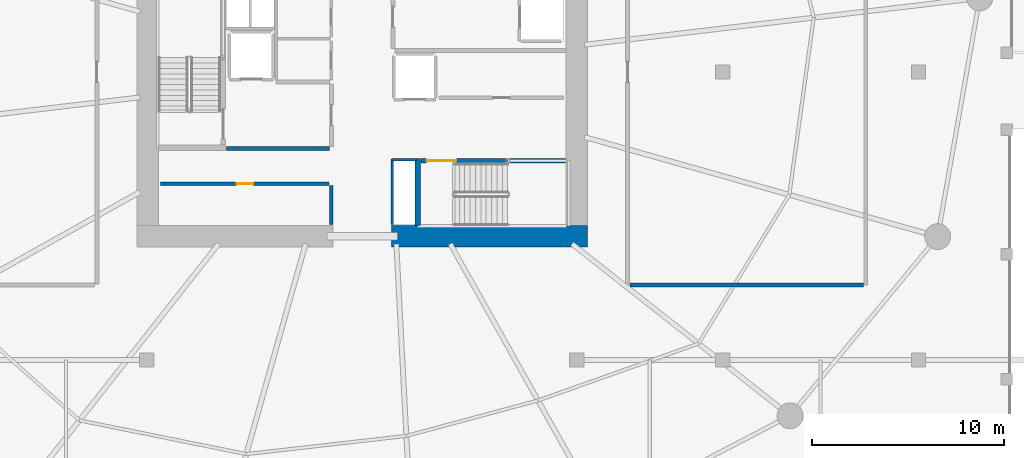
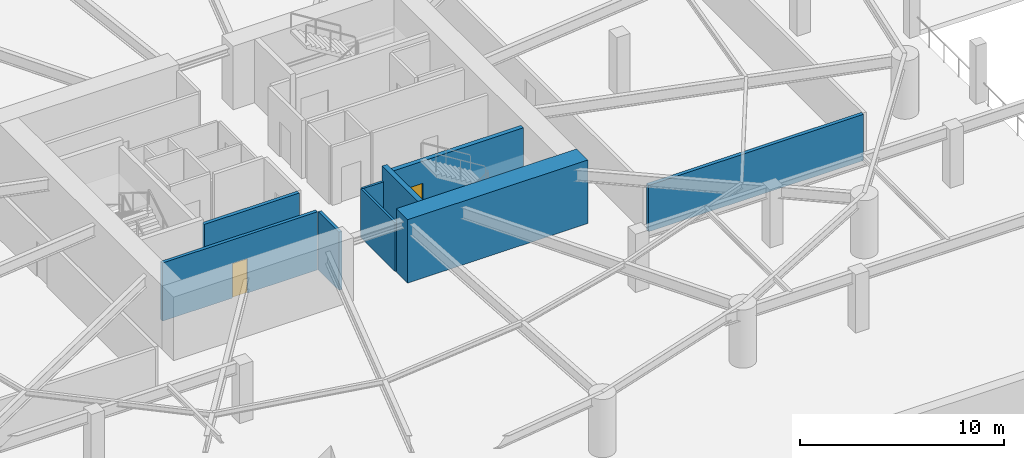
# One storey, part 8 of 13: 9 walls, 2 doors, 2 openings.
"""IFC4 building model written with IfcOpenShell, lengths in metres."""

from ifc_helpers import new_model, si_unit, direction, frame, frame_2d, origin, place, context, subcontext, project, spatial, rectangle, extrude, material, layer, layer_set, type_object, element, fill, save


model = new_model("IFC4")

# Units and contexts
model_context = context("Model", 3, precision=1e-05, world=origin(), true_north=direction((0.0, 1.0)))
body_context = subcontext(model_context, "Body", "Model", "MODEL_VIEW")
ifc_project = project(units=[si_unit("LENGTHUNIT", "METRE"), si_unit("AREAUNIT", "SQUARE_METRE"), si_unit("VOLUMEUNIT", "CUBIC_METRE"), si_unit("PLANEANGLEUNIT", "RADIAN"), si_unit("MASSUNIT", "GRAM", prefix="KILO")], contexts=[model_context])

# Site, building, storey
site_placement = place(None, origin())
site = spatial("IfcSite", under=ifc_project, at=site_placement, CompositionType="ELEMENT")
building_placement = place(site_placement, origin())
building = spatial("IfcBuilding", under=site, at=building_placement, Name="Kazma Halo Residences", CompositionType="ELEMENT")
storey_placement = place(building_placement, frame((0.0, 0.0, -3.800048828125)))
storey = spatial("IfcBuildingStorey", under=building, at=storey_placement, Name="B01", CompositionType="ELEMENT", Elevation=-3.800048828125)

# Walls
ifc_material_1 = material(Name="Concrete C80/95", Category="concrete")
ifc_layer_1 = layer(ifc_material_1, 1.10009765625)
ifc_layer_set_1 = layer_set([ifc_layer_1], Name="Concrete C80/95")
wall_type_1 = type_object("IfcWallType", Name="WL-CORE-1100", PredefinedType="SHEAR", material=ifc_layer_set_1)
wall_1_placement = place(storey_placement, frame((49.949951171875, 33.449951171875, 0.0), z_axis=(0.0, 0.0, 1.0), x_axis=(1.0, 0.0, 0.0)))
element("IfcWall", 1, at=wall_1_placement, inside=storey, type_object=wall_type_1, Name="B01 central core shear wall SE", PredefinedType="SHEAR", context=body_context, shape_type="SweptSolid", body=[
    extrude(rectangle(XDim=10.199951171875, YDim=1.10009765625, at=frame_2d((5.10009765625, 0.0))), origin(), (0.0, 0.0, 1.0), 3.800048828125),
])
ifc_material_2 = material(Name="Concrete C60/75", Category="concrete")
ifc_layer_2 = layer(ifc_material_2, 0.280029296875)
ifc_layer_set_2 = layer_set([ifc_layer_2], Name="Concrete C60/75")
wall_type_2 = type_object("IfcWallType", Name="WL-CORE-ST-280", PredefinedType="SHEAR", material=ifc_layer_set_2)
wall_2_placement = place(storey_placement, frame((51.31005859375, 34.0, 0.0), z_axis=(0.0, 0.0, 1.0), x_axis=(0.0, 1.0, 0.0)))
element("IfcWall", 2, at=wall_2_placement, inside=storey, type_object=wall_type_2, Name="B01 stairwell bearing wall ST03-W", PredefinedType="SHEAR", context=body_context, shape_type="SweptSolid", body=[
    extrude(rectangle(XDim=3.5, YDim=0.280029296875, at=frame_2d((1.75, 0.0))), origin(), (0.0, 0.0, 1.0), 3.800048828125),
])

# Wall, opening, door
ifc_material_3 = material(Name="Fire-Rated Blockwork Masonry", Category="masonry")
ifc_layer_3 = layer(ifc_material_3, 0.199951171875)
ifc_layer_set_3 = layer_set([ifc_layer_3], Name="Fire-Rated Blockwork Masonry")
wall_type_3 = type_object("IfcWallType", Name="WL-FLB-200", PredefinedType="PARTITIONING", material=ifc_layer_set_3)
wall_3_placement = place(storey_placement, frame((37.919921875, 36.179931640625, 0.0), z_axis=(0.0, 0.0, 1.0), x_axis=(1.0, 0.0, 0.0)))
wall_3 = element("IfcWall", 3, at=wall_3_placement, inside=storey, type_object=wall_type_3, Name="B01 core sump plant wall", PredefinedType="PARTITIONING", context=body_context, shape_type="SweptSolid", body=[
    extrude(rectangle(XDim=8.780029296875, YDim=0.179931640625, at=frame_2d((4.39013671875, 0.0))), origin(), (0.0, 0.0, 1.0), 3.47998046875),
])
opening_1_placement = place(wall_3_placement, frame((3.965087890625, 0.0, 0.0)))
opening_1 = element("IfcOpeningElement", 4, at=opening_1_placement, cuts=wall_3, Name="Opening DS-850", PredefinedType="OPENING", context=body_context, shape_type="SweptSolid", body=[
    extrude(rectangle(XDim=0.85009765625, YDim=2.06005859375, at=frame_2d((0.425048828125, 1.030029296875))), frame((0.0, 0.099853515625, 0.0), z_axis=(0.0, -1.0, 0.0), x_axis=(1.0, 0.0, 0.0)), (0.0, 0.0, 1.0), 0.199951171875),
])
ifc_material_4 = material(Name="Painted Steel Access Leaf", Category="steel")
door_type_1 = type_object("IfcDoorType", Name="DR-SVC-850", OperationType="NOTDEFINED", PredefinedType="DOOR", material=ifc_material_4)
door_1_placement = place(opening_1_placement, origin())
door_1 = element("IfcDoor", 5, at=door_1_placement, inside=storey, type_object=door_type_1, Name="B01 core sump plant door", OperationType="SINGLE_SWING_RIGHT", OverallHeight=2.06005859375, OverallWidth=0.85009765625, PredefinedType="DOOR", context=body_context, shape_type="SweptSolid", body=[
    extrude(rectangle(XDim=0.85009765625, YDim=2.06005859375, at=frame_2d((0.425048828125, 1.030029296875))), frame((0.0, 0.02490234375, 0.0), z_axis=(0.0, -1.0, 0.0), x_axis=(1.0, 0.0, 0.0)), (0.0, 0.0, 1.0), 0.050048828125),
])
fill(opening_1, door_1)

# Walls
wall_4_placement = place(storey_placement, frame((46.820068359375, 34.050048828125, 0.0), z_axis=(0.0, 0.0, 1.0), x_axis=(0.0, 1.0, 0.0)))
element("IfcWall", 6, at=wall_4_placement, inside=storey, type_object=wall_type_3, Name="B01 core sump east wall", PredefinedType="PARTITIONING", context=body_context, shape_type="SweptSolid", body=[
    extrude(rectangle(XDim=2.030029296875, YDim=0.179931640625, at=frame_2d((1.01513671875, 0.0))), origin(), (0.0, 0.0, 1.0), 3.47998046875),
])
wall_5_placement = place(storey_placement, frame((41.35009765625, 38.02001953125, 0.0), z_axis=(0.0, 0.0, 1.0), x_axis=(1.0, 0.0, 0.0)))
element("IfcWall", 7, at=wall_5_placement, inside=storey, type_object=wall_type_3, Name="B01 west firefighting lobby south smoke wall", PredefinedType="PARTITIONING", context=body_context, shape_type="SweptSolid", body=[
    extrude(rectangle(XDim=5.369873046875, YDim=0.199951171875, at=frame_2d((2.68505859375, 0.0))), origin(), (0.0, 0.0, 1.0), 3.47998046875),
])
wall_6_placement = place(storey_placement, frame((62.3701171875, 30.89990234375, 0.0), z_axis=(0.0, 0.0, 1.0), x_axis=(1.0, 0.0, 0.0)))
element("IfcWall", 8, at=wall_6_placement, inside=storey, type_object=wall_type_3, Name="B01 east pump plant south wall", PredefinedType="PARTITIONING", context=body_context, shape_type="SweptSolid", body=[
    extrude(rectangle(XDim=12.159912109375, YDim=0.199951171875, at=frame_2d((6.080078125, 0.0))), origin(), (0.0, 0.0, 1.0), 2.77099609375),
])
ifc_material_5 = material(Name="Gypsum Plasterboard Partition")
ifc_layer_4 = layer(ifc_material_5, 0.125)
ifc_layer_set_4 = layer_set([ifc_layer_4], Name="Gypsum Plasterboard Partition")
wall_type_4 = type_object("IfcWallType", Name="WL-PART-125", PredefinedType="PARTITIONING", material=ifc_layer_set_4)
wall_7_placement = place(storey_placement, frame((49.97998046875, 34.06005859375, 0.0), z_axis=(0.0, 0.0, 1.0), x_axis=(0.0, 1.0, 0.0)))
element("IfcWall", 9, at=wall_7_placement, inside=storey, type_object=wall_type_4, Name="B01 standpipe riser wall", PredefinedType="PARTITIONING", context=body_context, shape_type="SweptSolid", body=[
    extrude(rectangle(XDim=3.39990234375, YDim=0.125, at=frame_2d((1.699951171875, 0.0))), origin(), (0.0, 0.0, 1.0), 2.920166015625),
])
wall_8_placement = place(storey_placement, frame((49.97998046875, 37.43994140625, 0.0), z_axis=(0.0, 0.0, 1.0), x_axis=(1.0, 0.0, 0.0)))
element("IfcWall", 10, at=wall_8_placement, inside=storey, type_object=wall_type_4, Name="B01 standpipe riser north wall", PredefinedType="PARTITIONING", context=body_context, shape_type="SweptSolid", body=[
    extrude(rectangle(XDim=1.260009765625, YDim=0.125, at=frame_2d((0.6298828125, 0.0))), origin(), (0.0, 0.0, 1.0), 2.920166015625),
])

# Wall, opening, door
ifc_material_6 = material(Name="Concrete C50/60", Category="concrete")
ifc_layer_5 = layer(ifc_material_6, 0.25)
ifc_layer_set_5 = layer_set([ifc_layer_5], Name="Concrete C50/60")
wall_type_5 = type_object("IfcWallType", Name="WL-SHF-250", PredefinedType="SOLIDWALL", material=ifc_layer_set_5)
wall_9_placement = place(storey_placement, frame((51.47998046875, 37.3798828125, 0.0), z_axis=(0.0, 0.0, 1.0), x_axis=(1.0, 0.0, 0.0)))
wall_9 = element("IfcWall", 11, at=wall_9_placement, inside=storey, type_object=wall_type_5, Name="B01 exit stair ST-03 enclosure wall", PredefinedType="SOLIDWALL", context=body_context, shape_type="SweptSolid", body=[
    extrude(rectangle(XDim=7.5400390625, YDim=0.25, at=frame_2d((3.77001953125, 0.0))), origin(), (0.0, 0.0, 1.0), 3.47998046875),
])
opening_2_placement = place(wall_9_placement, frame((0.300048828125, 0.0, 0.0)))
opening_2 = element("IfcOpeningElement", 12, at=opening_2_placement, cuts=wall_9, Name="Opening D-ST3", PredefinedType="OPENING", context=body_context, shape_type="SweptSolid", body=[
    extrude(rectangle(XDim=1.550048828125, YDim=2.14990234375, at=frame_2d((0.77490234375, 1.074951171875))), frame((0.0, 0.135009765625, 0.0), z_axis=(0.0, -1.0, 0.0), x_axis=(1.0, 0.0, 0.0)), (0.0, 0.0, 1.0), 0.27001953125),
])
ifc_material_7 = material(Name="Fire-Rated Double Steel Leaf", Category="steel")
door_type_2 = type_object("IfcDoorType", Name="DR-FD90-1550", OperationType="NOTDEFINED", PredefinedType="DOOR", material=ifc_material_7)
door_2_placement = place(opening_2_placement, origin())
door_2 = element("IfcDoor", 13, at=door_2_placement, inside=storey, type_object=door_type_2, Name="B01 exit stair ST-03 fire door", OperationType="DOUBLE_DOOR_SINGLE_SWING", OverallHeight=2.14990234375, OverallWidth=1.550048828125, PredefinedType="DOOR", context=body_context, shape_type="SweptSolid", body=[
    extrude(rectangle(XDim=1.550048828125, YDim=2.14990234375, at=frame_2d((0.77490234375, 1.074951171875))), frame((0.0, 0.02490234375, 0.0), z_axis=(0.0, -1.0, 0.0), x_axis=(1.0, 0.0, 0.0)), (0.0, 0.0, 1.0), 0.050048828125),
])
fill(opening_2, door_2)

save(model, "model.ifc")
